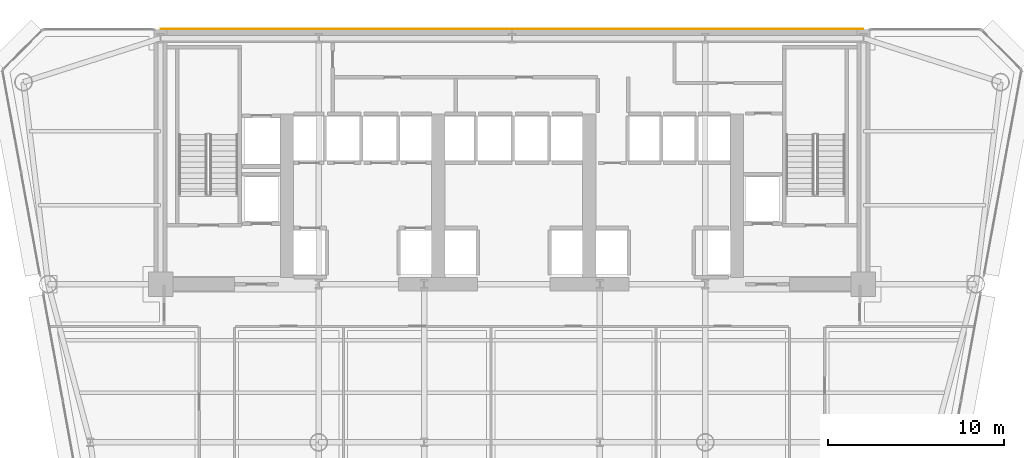
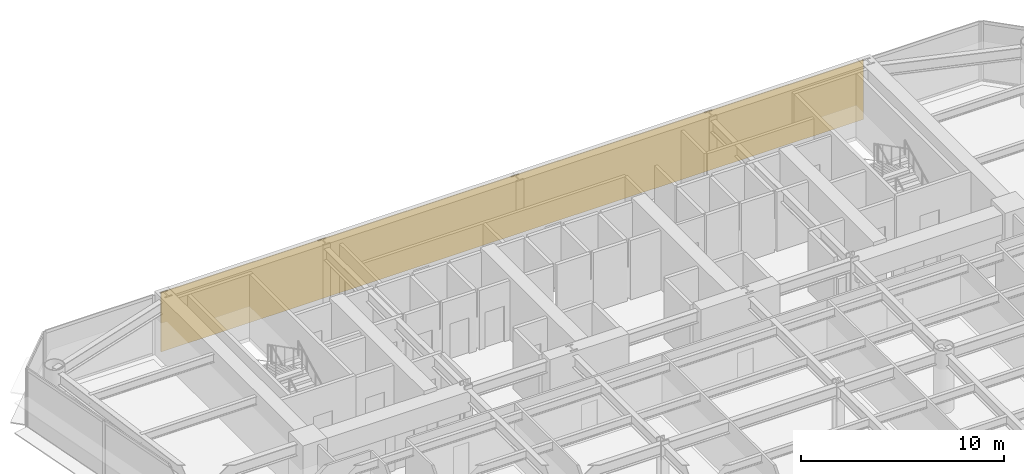
# One storey, part 13 of 14: 1 covering.
"""IFC4 building model written with IfcOpenShell, lengths in metres."""

from ifc_helpers import new_model, si_unit, direction, frame, origin, place, context, subcontext, project, spatial, polyline, outline, extrude, material, layer, layer_set, type_object, element, save


model = new_model("IFC4")

# Units and contexts
model_context = context("Model", 3, precision=1e-05, world=origin(), true_north=direction((0.0, 1.0)))
body_context = subcontext(model_context, "Body", "Model", "MODEL_VIEW")
ifc_project = project(units=[si_unit("LENGTHUNIT", "METRE"), si_unit("AREAUNIT", "SQUARE_METRE"), si_unit("VOLUMEUNIT", "CUBIC_METRE"), si_unit("PLANEANGLEUNIT", "RADIAN"), si_unit("MASSUNIT", "GRAM", prefix="KILO")], contexts=[model_context])

# Site, building, storey
site_placement = place(None, origin())
site = spatial("IfcSite", under=ifc_project, at=site_placement, CompositionType="ELEMENT")
building_placement = place(site_placement, origin())
building = spatial("IfcBuilding", under=site, at=building_placement, Name="Vaeldorn Concourse Tower", CompositionType="ELEMENT")
storey_placement = place(building_placement, frame((0.0, 0.0, 92.0)))
storey = spatial("IfcBuildingStorey", under=building, at=storey_placement, Name="L23", CompositionType="ELEMENT", Elevation=92.0)

# Covering
ifc_material = material(Name="Anodised Bronze Aluminium", Category="aluminium")
ifc_layer = layer(ifc_material, 0.050048828125)
ifc_layer_set = layer_set([ifc_layer], Name="Anodised Bronze Aluminium")
covering_type = type_object("IfcCoveringType", Name="COV-CLAD-BRONZE", PredefinedType="CLADDING", material=ifc_layer_set)
covering_placement = place(storey_placement, origin())
element("IfcCovering", 1, at=covering_placement, inside=storey, type_object=covering_type, Name="Rear Core Bronze Spandrel Cladding L23", PredefinedType="CLADDING", context=body_context, shape_type="SweptSolid", body=[
    extrude(outline(polyline([(14.0, 51.0), (54.0, 51.0), (54.0, 51.050048828125), (14.0, 51.050048828125), (14.0, 51.0)])), origin(), (0.0, 0.0, 1.0), 3.580078125),
])

save(model, "model.ifc")
